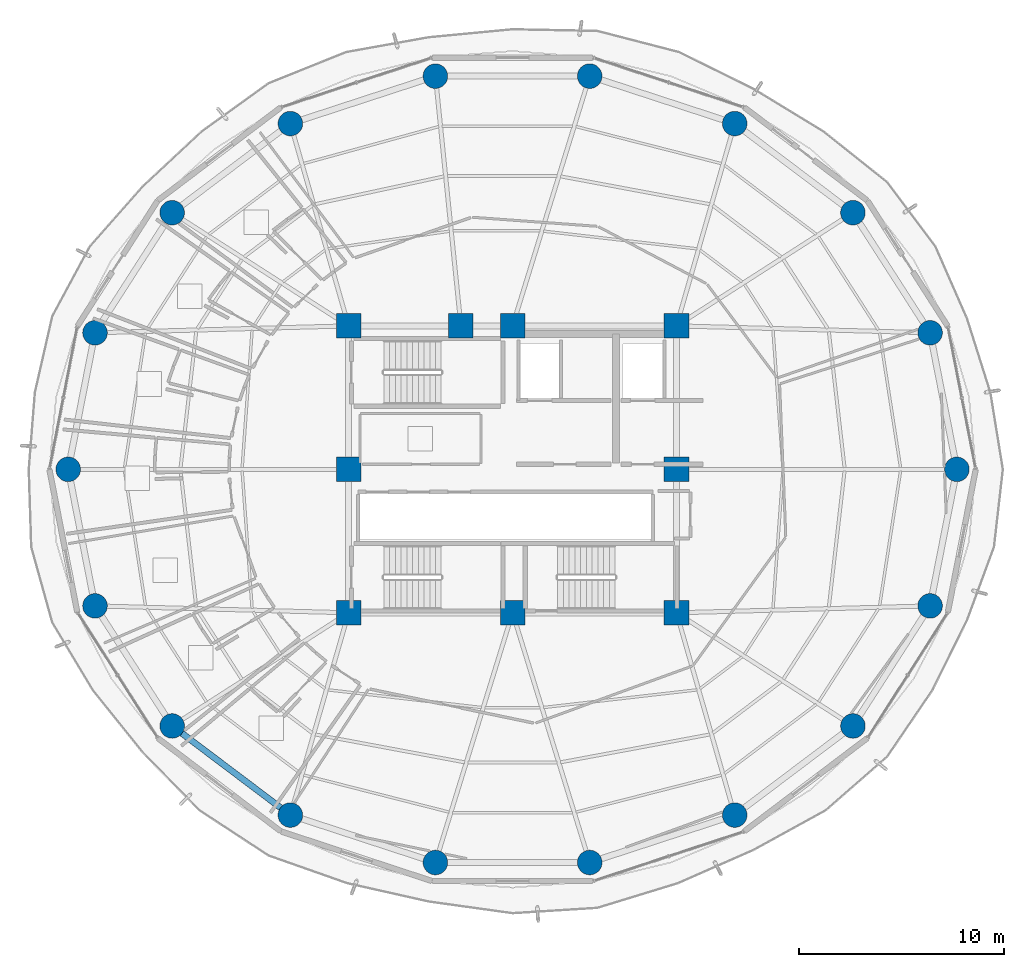
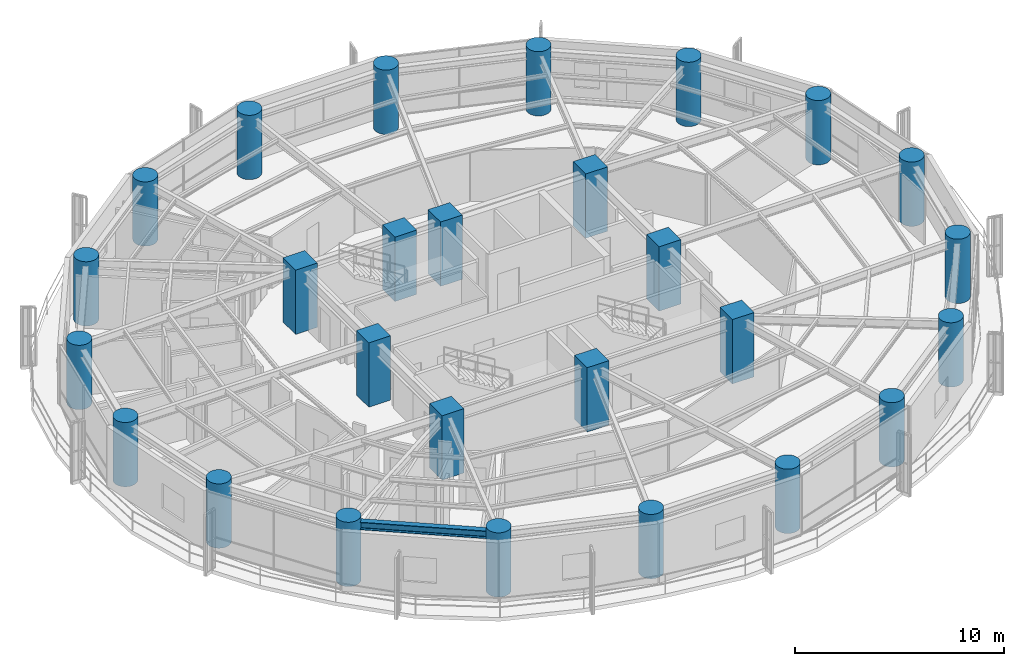
# One storey, part 1 of 27: 27 columns, 1 beam.
"""IFC4 building model written with IfcOpenShell, lengths in metres."""

from ifc_helpers import new_model, si_unit, direction, frame, origin, origin_2d, place, context, subcontext, project, spatial, rectangle, circle, i_section, extrude, material, material_profile, profile_set, type_object, element, save


model = new_model("IFC4")

# Units and contexts
model_context = context("Model", 3, precision=1e-05, world=origin(), true_north=direction((0.0, 1.0)))
body_context = subcontext(model_context, "Body", "Model", "MODEL_VIEW")
ifc_project = project(units=[si_unit("LENGTHUNIT", "METRE"), si_unit("AREAUNIT", "SQUARE_METRE"), si_unit("VOLUMEUNIT", "CUBIC_METRE"), si_unit("PLANEANGLEUNIT", "RADIAN"), si_unit("MASSUNIT", "GRAM", prefix="KILO")], contexts=[model_context])

# Site, building, storey
site_placement = place(None, origin())
site = spatial("IfcSite", under=ifc_project, at=site_placement, CompositionType="ELEMENT")
building_placement = place(site_placement, origin())
building = spatial("IfcBuilding", under=site, at=building_placement, Name="Kelanora Arch Commons", CompositionType="ELEMENT")
storey_placement = place(building_placement, frame((0.0, 0.0, 173.10009765625)))
storey = spatial("IfcBuildingStorey", under=building, at=storey_placement, Name="L44", CompositionType="ELEMENT", Elevation=173.10009765625)

# Columns
ifc_material_1 = material(Name="Concrete C50/60", Category="concrete")
ifc_material_profile_1 = material_profile(ifc_material_1, circle(Radius=0.60009765625, at=origin_2d()), Name="RCC1200")
ifc_profile_set_1 = profile_set([ifc_material_profile_1], Name="Concrete C50/60")
column_type_1 = type_object("IfcColumnType", Name="COL-PERIM-Z3", PredefinedType="COLUMN", material=ifc_profile_set_1)
for number, where, z_axis, x_axis, name in (
    (1, (95.679931640625, 58.0, 0.0), (0.0, 0.0, 1.0), (1.0, 0.0, 0.0), "Perimeter Ring Column CP-00 L44"),
    (2, (94.37255859375, 64.66259765625, 0.0), (0.0, 0.0, 1.0), (1.0, 0.0, 0.0), "Perimeter Ring Column CP-02 L44"),
    (3, (90.60791015625, 70.521484375, 0.0), (0.0, 0.0, 1.0), (1.0, 0.0, 0.0), "Perimeter Ring Column CP-04 L44"),
    (4, (84.840087890625, 74.8701171875, 0.0), (0.0, 0.0, 1.0), (1.0, 0.0, 0.0), "Perimeter Ring Column CP-06 L44"),
    (5, (77.7646484375, 77.18408203125, 0.0), (0.0, 0.0, 1.0), (1.0, 0.0, 0.0), "Perimeter Ring Column CP-08 L44"),
    (6, (70.2353515625, 77.18408203125, 0.0), (0.0, 0.0, 1.0), (1.0, 0.0, 0.0), "Perimeter Ring Column CP-10 L44"),
    (7, (63.159912109375, 74.8701171875, 0.0), (0.0, 0.0, 1.0), (1.0, 0.0, 0.0), "Perimeter Ring Column CP-12 L44"),
    (8, (57.39208984375, 70.521484375, 0.0), (0.0, 0.0, 1.0), (1.0, 0.0, 0.0), "Perimeter Ring Column CP-14 L44"),
    (9, (53.62744140625, 64.66259765625, 0.0), (0.0, 0.0, 1.0), (1.0, 0.0, 0.0), "Perimeter Ring Column CP-16 L44"),
    (10, (52.320068359375, 58.0, 0.0), (0.0, 0.0, 1.0), (1.0, 0.0, 0.0), "Perimeter Ring Column CP-18 L44"),
    (11, (53.62744140625, 51.33740234375, 0.0), (0.0, 0.0, 1.0), (1.0, 0.0, 0.0), "Perimeter Ring Column CP-20 L44"),
    (12, (57.39208984375, 45.478515625, 0.0), (0.0, 0.0, 1.0), (1.0, 0.0, 0.0), "Perimeter Ring Column CP-22 L44"),
    (13, (63.159912109375, 41.1298828125, 0.0), (0.0, 0.0, 1.0), (1.0, 0.0, 0.0), "Perimeter Ring Column CP-24 L44"),
    (14, (70.2353515625, 38.81591796875, 0.0), (0.0, 0.0, 1.0), (1.0, 0.0, 0.0), "Perimeter Ring Column CP-26 L44"),
    (15, (77.7646484375, 38.81591796875, 0.0), (0.0, 0.0, 1.0), (1.0, 0.0, 0.0), "Perimeter Ring Column CP-28 L44"),
    (16, (84.840087890625, 41.1298828125, 0.0), (0.0, 0.0, 1.0), (1.0, 0.0, 0.0), "Perimeter Ring Column CP-30 L44"),
    (17, (90.60791015625, 45.478515625, 0.0), (0.0, 0.0, 1.0), (1.0, 0.0, 0.0), "Perimeter Ring Column CP-32 L44"),
    (18, (94.37255859375, 51.33740234375, 0.0), (0.0, 0.0, 1.0), (1.0, 0.0, 0.0), "Perimeter Ring Column CP-34 L44"),
):
    element("IfcColumn", number, at=place(storey_placement, frame(where, z_axis=z_axis, x_axis=x_axis)), inside=storey, type_object=column_type_1, Name=name, PredefinedType="COLUMN", context=body_context, shape_type="SweptSolid", body=[
        extrude(circle(Radius=0.60009765625, at=origin_2d()), origin(), (0.0, 0.0, 1.0), 3.75),
    ])
ifc_material_2 = material(Name="Concrete C60/75", Category="concrete")
ifc_material_profile_2 = material_profile(ifc_material_2, rectangle(XDim=1.199951171875, YDim=1.199951171875, at=origin_2d()), Name="RC1200x1200")
ifc_profile_set_2 = profile_set([ifc_material_profile_2], Name="Concrete C60/75")
column_type_2 = type_object("IfcColumnType", Name="COL-PIL-MID", PredefinedType="PILASTER", material=ifc_profile_set_2)
for number, where, z_axis, x_axis, name in (
    (19, (66.0, 51.0, 0.0), (0.0, 0.0, 1.0), (1.0, 0.0, 0.0), "Core Pilaster Column CP1 L44"),
    (20, (74.0, 51.0, 0.0), (0.0, 0.0, 1.0), (1.0, 0.0, 0.0), "Core Pilaster Column CP2 L44"),
    (21, (82.0, 51.0, 0.0), (0.0, 0.0, 1.0), (1.0, 0.0, 0.0), "Core Pilaster Column CP3 L44"),
    (22, (82.0, 58.0, 0.0), (0.0, 0.0, 1.0), (1.0, 0.0, 0.0), "Core Pilaster Column CP4 L44"),
    (23, (82.0, 65.0, 0.0), (0.0, 0.0, 1.0), (1.0, 0.0, 0.0), "Core Pilaster Column CP5 L44"),
    (24, (74.0, 65.0, 0.0), (0.0, 0.0, 1.0), (1.0, 0.0, 0.0), "Core Pilaster Column CP6 L44"),
    (25, (71.47998046875, 65.0, 0.0), (0.0, 0.0, 1.0), (1.0, 0.0, 0.0), "Core Pilaster Column CP9 L44"),
    (26, (66.0, 65.0, 0.0), (0.0, 0.0, 1.0), (1.0, 0.0, 0.0), "Core Pilaster Column CP7 L44"),
    (27, (66.0, 58.0, 0.0), (0.0, 0.0, 1.0), (1.0, 0.0, 0.0), "Core Pilaster Column CP8 L44"),
):
    element("IfcColumn", number, at=place(storey_placement, frame(where, z_axis=z_axis, x_axis=x_axis)), inside=storey, type_object=column_type_2, Name=name, PredefinedType="PILASTER", context=body_context, shape_type="SweptSolid", body=[
        extrude(rectangle(XDim=1.199951171875, YDim=1.199951171875, at=origin_2d()), origin(), (0.0, 0.0, 1.0), 3.75),
    ])

# Beam
ifc_material_3 = material(Name="Steel S355", Category="steel")
ifc_material_profile_3 = material_profile(ifc_material_3, i_section(OverallWidth=0.300048828125, OverallDepth=0.449951171875, WebThickness=0.013916015625, FlangeThickness=0.02587890625, FilletRadius=0.027099609375, at=origin_2d()), Name="HEB450")
ifc_profile_set_3 = profile_set([ifc_material_profile_3], Name="Steel S355")
beam_type = type_object("IfcBeamType", Name="BM-SPN-Z3", PredefinedType="SPANDREL", material=ifc_profile_set_3)
beam_placement = place(storey_placement, frame((57.39208984375, 45.478515625, 3.264892578125), z_axis=(0.798484645564, -0.60201517489, 0.0), x_axis=(0.60201517489, 0.798484645564, 0.0)))
element("IfcBeam", 28, at=beam_placement, inside=storey, type_object=beam_type, Name="Perimeter Spandrel Beam BS-22 L44", PredefinedType="SPANDREL", context=body_context, shape_type="SweptSolid", body=[
    extrude(i_section(OverallWidth=0.300048828125, OverallDepth=0.449951171875, WebThickness=0.013916015625, FlangeThickness=0.02587890625, FilletRadius=0.027099609375, at=origin_2d()), origin(), (0.0, 0.0, 1.0), 7.223388671875),
])

save(model, "model.ifc")
